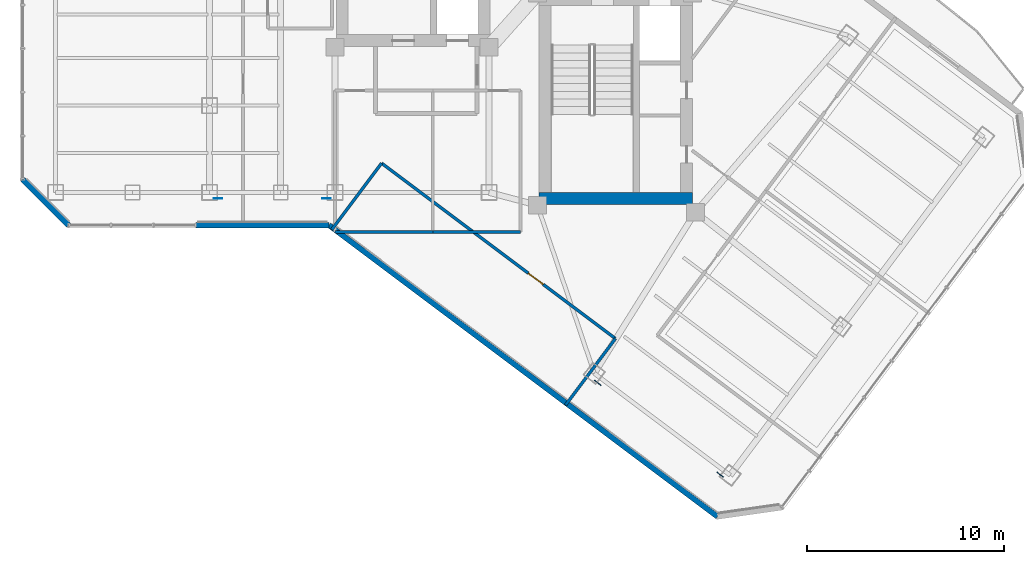
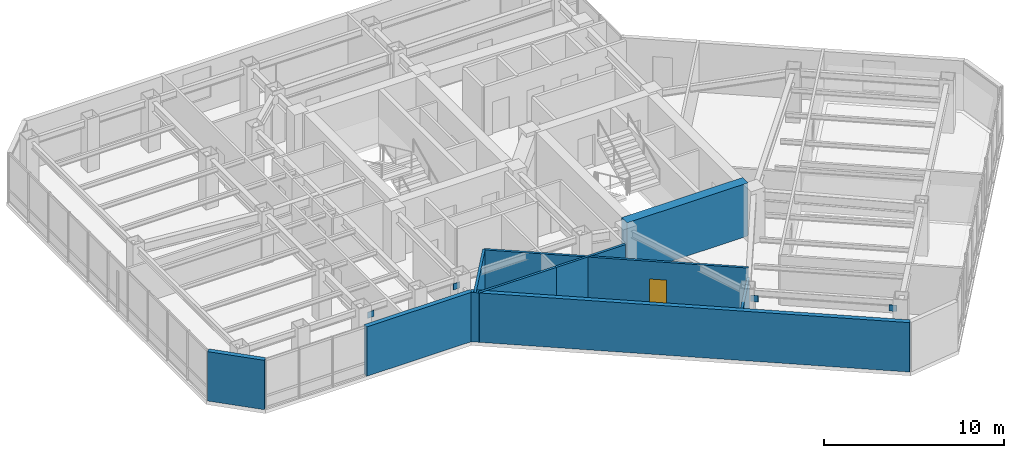
# One storey, part 21 of 27: 9 walls, 4 plates, 1 door, 1 opening.
"""IFC4 building model written with IfcOpenShell, lengths in metres."""

from ifc_helpers import new_model, si_unit, direction, frame, frame_2d, origin, origin_2d, place, context, subcontext, project, spatial, rectangle, extrude, material, layer, layer_set, type_object, element, fill, save


model = new_model("IFC4")

# Units and contexts
model_context = context("Model", 3, precision=1e-05, world=origin(), true_north=direction((0.0, 1.0)))
body_context = subcontext(model_context, "Body", "Model", "MODEL_VIEW")
ifc_project = project(units=[si_unit("LENGTHUNIT", "METRE"), si_unit("AREAUNIT", "SQUARE_METRE"), si_unit("VOLUMEUNIT", "CUBIC_METRE"), si_unit("PLANEANGLEUNIT", "RADIAN"), si_unit("MASSUNIT", "GRAM", prefix="KILO")], contexts=[model_context])

# Site, building, storey
site_placement = place(None, origin())
site = spatial("IfcSite", under=ifc_project, at=site_placement, CompositionType="ELEMENT")
building_placement = place(site_placement, origin())
building = spatial("IfcBuilding", under=site, at=building_placement, Name="Hatsunagi Terrace Concourse", CompositionType="ELEMENT")
storey_placement = place(building_placement, frame((0.0, 0.0, 174.449951171875)))
storey = spatial("IfcBuildingStorey", under=building, at=storey_placement, Name="L46", CompositionType="ELEMENT", Elevation=174.449951171875)

# Plates
ifc_material_1 = material(Name="Steel SN490C", Category="steel")
ifc_layer_1 = layer(ifc_material_1, 0.031982421875)
ifc_layer_set_1 = layer_set([ifc_layer_1], Name="XBraceNodeCapPlate_32")
plate_type = type_object("IfcPlateType", Name="XBraceNodeCapPlate_32", PredefinedType="USERDEFINED", material=ifc_layer_set_1)
for number, where, z_axis, x_axis, name in (
    (1, (19.625, 24.89990234375, 2.7001953125), (0.0, 0.0, 1.0), (1.0, 0.0, 0.0), "Cast-In Core and Node Embed Plate GP-02 EP-XB-L44-W1-AT"),
    (2, (25.125, 24.89990234375, 2.7001953125), (0.0, 0.0, 1.0), (1.0, 0.0, 0.0), "Cast-In Core and Node Embed Plate GP-02 EP-XB-L44-W1-BT"),
    (3, (38.85205078125, 15.56103515625, 2.7001953125), (0.0, 0.0, 1.0), (0.799999996291, -0.600000004945, 0.0), "Cast-In Core and Node Embed Plate GP-02 EP-XB-L44-SE-AT"),
    (4, (45.052001953125, 10.910888671875, 2.7001953125), (0.0, 0.0, 1.0), (0.799999996291, -0.600000004945, 0.0), "Cast-In Core and Node Embed Plate GP-02 EP-XB-L44-SE-BT"),
):
    element("IfcPlate", number, at=place(storey_placement, frame(where, z_axis=z_axis, x_axis=x_axis)), inside=storey, type_object=plate_type, Name=name, ObjectType="GUSSET_PLATE", PredefinedType="USERDEFINED", context=body_context, shape_type="SweptSolid", body=[
        extrude(rectangle(XDim=0.419921875, YDim=0.031982421875, at=origin_2d()), origin(), (0.0, 0.0, 1.0), 0.419921875),
    ])

# Walls
ifc_material_2 = material(Name="Concrete Fc48", Category="concrete")
ifc_layer_2 = layer(ifc_material_2, 0.60009765625)
ifc_layer_set_2 = layer_set([ifc_layer_2], Name="CoreShearWall_Fc48_600")
wall_type_1 = type_object("IfcWallType", Name="CoreShearWall_Fc48_600", PredefinedType="SHEAR", material=ifc_layer_set_2)
wall_1_placement = place(storey_placement, frame((35.889892578125, 24.889892578125, 0.0), z_axis=(0.0, 0.0, 1.0), x_axis=(1.0, 0.0, 0.0)))
element("IfcWall", 5, at=wall_1_placement, inside=storey, type_object=wall_type_1, Name="Core B Shear Wall S L46", PredefinedType="SHEAR", context=body_context, shape_type="SweptSolid", body=[
    extrude(rectangle(XDim=7.760009765625, YDim=0.60009765625, at=frame_2d((3.8798828125, 0.0))), origin(), (0.0, 0.0, 1.0), 3.60009765625),
])
ifc_material_3 = material(Name="Acoustic mineral board", Category="gypsum")
ifc_layer_3 = layer(ifc_material_3, 0.14990234375)
ifc_layer_set_3 = layer_set([ifc_layer_3], Name="PartitionWall_EI60_150")
wall_type_2 = type_object("IfcWallType", Name="PartitionWall_EI60_150", PredefinedType="PARTITIONING", material=ifc_layer_set_3)
wall_2_placement = place(storey_placement, frame((25.550048828125, 23.199951171875, 0.0), z_axis=(0.0, 0.0, 1.0), x_axis=(1.0, 0.0, 0.0)))
element("IfcWall", 6, at=wall_2_placement, inside=storey, type_object=wall_type_2, Name="Interior Partition IW-L46-026", PredefinedType="PARTITIONING", context=body_context, shape_type="SweptSolid", body=[
    extrude(rectangle(XDim=4.949951171875, YDim=0.14990234375, at=frame_2d((2.47509765625, 0.0))), origin(), (0.0, 0.0, 1.0), 3.35009765625),
])
wall_3_placement = place(storey_placement, frame((30.5, 23.199951171875, 0.0), z_axis=(0.0, 0.0, 1.0), x_axis=(1.0, 0.0, 0.0)))
element("IfcWall", 7, at=wall_3_placement, inside=storey, type_object=wall_type_2, Name="Interior Partition IW-L46-030", PredefinedType="PARTITIONING", context=body_context, shape_type="SweptSolid", body=[
    extrude(rectangle(XDim=4.449951171875, YDim=0.14990234375, at=frame_2d((2.22509765625, 0.0))), origin(), (0.0, 0.0, 1.0), 3.35009765625),
])

# Wall, opening, door
wall_4_placement = place(storey_placement, frame((27.909912109375, 26.679931640625, 0.0), z_axis=(0.0, 0.0, 1.0), x_axis=(0.800005938517, -0.599992081896, 0.0)))
wall_4 = element("IfcWall", 8, at=wall_4_placement, inside=storey, type_object=wall_type_2, Name="Interior Partition IW-L46-045", PredefinedType="PARTITIONING", context=body_context, shape_type="SweptSolid", body=[
    extrude(rectangle(XDim=14.800048828125, YDim=0.14990234375, at=frame_2d((7.39990234375, 0.0))), origin(), (0.0, 0.0, 1.0), 3.35009765625),
])
opening_placement = place(wall_4_placement, frame((9.281005859375, 0.0, 0.0)))
opening = element("IfcOpeningElement", 9, at=opening_placement, cuts=wall_4, Name="Opening DR-095", PredefinedType="OPENING", context=body_context, shape_type="SweptSolid", body=[
    extrude(rectangle(XDim=0.949951171875, YDim=2.14990234375, at=frame_2d((0.47509765625, 1.074951171875))), frame((0.0, 0.0849609375, 0.0), z_axis=(0.0, -1.0, 0.0), x_axis=(1.0, 0.0, 0.0)), (0.0, 0.0, 1.0), 0.169921875),
])
ifc_material_4 = material(Name="Hardwood timber", Category="wood")
door_type = type_object("IfcDoorType", Name="InteriorSuiteDoor_EI30_950", OperationType="NOTDEFINED", PredefinedType="DOOR", material=ifc_material_4)
door_placement = place(opening_placement, origin())
door = element("IfcDoor", 10, at=door_placement, inside=storey, type_object=door_type, Name="Research Focus Suite L46-OSWS Door", OperationType="SINGLE_SWING_RIGHT", OverallHeight=2.14990234375, OverallWidth=0.949951171875, PredefinedType="DOOR", context=body_context, shape_type="SweptSolid", body=[
    extrude(rectangle(XDim=0.949951171875, YDim=2.14990234375, at=frame_2d((0.47509765625, 1.074951171875))), frame((0.0, 0.02490234375, 0.0), z_axis=(0.0, -1.0, 0.0), x_axis=(1.0, 0.0, 0.0)), (0.0, 0.0, 1.0), 0.050048828125),
])
fill(opening, door)

# Walls
wall_5_placement = place(storey_placement, frame((25.384033203125, 23.31201171875, 0.0), z_axis=(0.0, 0.0, 1.0), x_axis=(0.599990721155, 0.80000695905, 0.0)))
element("IfcWall", 11, at=wall_5_placement, inside=storey, type_object=wall_type_2, Name="Interior Partition IW-L46-046", PredefinedType="PARTITIONING", context=body_context, shape_type="SweptSolid", body=[
    extrude(rectangle(XDim=4.2099609375, YDim=0.14990234375, at=frame_2d((2.10498046875, 0.0))), origin(), (0.0, 0.0, 1.0), 3.35009765625),
])
wall_6_placement = place(storey_placement, frame((37.22412109375, 14.431884765625, 0.0), z_axis=(0.0, 0.0, 1.0), x_axis=(0.599962885857, 0.800027834262, 0.0)))
element("IfcWall", 12, at=wall_6_placement, inside=storey, type_object=wall_type_2, Name="Interior Partition IW-L46-047", PredefinedType="PARTITIONING", context=body_context, shape_type="SweptSolid", body=[
    extrude(rectangle(XDim=4.2099609375, YDim=0.14990234375, at=frame_2d((2.10498046875, 0.0))), origin(), (0.0, 0.0, 1.0), 2.695068359375),
])
ifc_material_5 = material(Name="Autoclaved Lightweight Concrete and Terracotta Cladding", Category="masonry")
ifc_layer_4 = layer(ifc_material_5, 0.280029296875)
ifc_layer_set_4 = layer_set([ifc_layer_4], Name="TerracottaSpandrelWall_280")
wall_type_3 = type_object("IfcWallType", Name="TerracottaSpandrelWall_280", PredefinedType="STANDARD", material=ifc_layer_set_4)
wall_7_placement = place(storey_placement, frame((44.91796875, 8.787109375, 0.0), z_axis=(0.0, 0.0, 1.0), x_axis=(-0.800004765927, 0.599993645378, 0.0)))
element("IfcWall", 13, at=wall_7_placement, inside=storey, type_object=wall_type_3, Name="Exterior Spandrel Wall EW-L46-05", PredefinedType="STANDARD", context=body_context, shape_type="SweptSolid", body=[
    extrude(rectangle(XDim=24.58837890625, YDim=0.280029296875, at=frame_2d((12.294189453125, 0.0))), origin(), (0.0, 0.0, 1.0), 3.35009765625),
])
wall_8_placement = place(storey_placement, frame((25.2470703125, 23.5400390625, 0.0), z_axis=(0.0, 0.0, 1.0), x_axis=(-1.0, 0.0, 0.0)))
element("IfcWall", 14, at=wall_8_placement, inside=storey, type_object=wall_type_3, Name="Exterior Spandrel Wall EW-L46-06", PredefinedType="STANDARD", context=body_context, shape_type="SweptSolid", body=[
    extrude(rectangle(XDim=6.7470703125, YDim=0.280029296875, at=frame_2d((3.37353515625, 0.0))), origin(), (0.0, 0.0, 1.0), 3.35009765625),
])
wall_9_placement = place(storey_placement, frame((12.05810546875, 23.5400390625, 0.0), z_axis=(0.0, 0.0, 1.0), x_axis=(-0.707144017911, 0.707069542501, 0.0)))
element("IfcWall", 15, at=wall_9_placement, inside=storey, type_object=wall_type_3, Name="Exterior Spandrel Wall EW-L46-08", PredefinedType="STANDARD", context=body_context, shape_type="SweptSolid", body=[
    extrude(rectangle(XDim=3.278076171875, YDim=0.280029296875, at=frame_2d((1.63916015625, 0.0))), origin(), (0.0, 0.0, 1.0), 3.35009765625),
])

save(model, "model.ifc")
